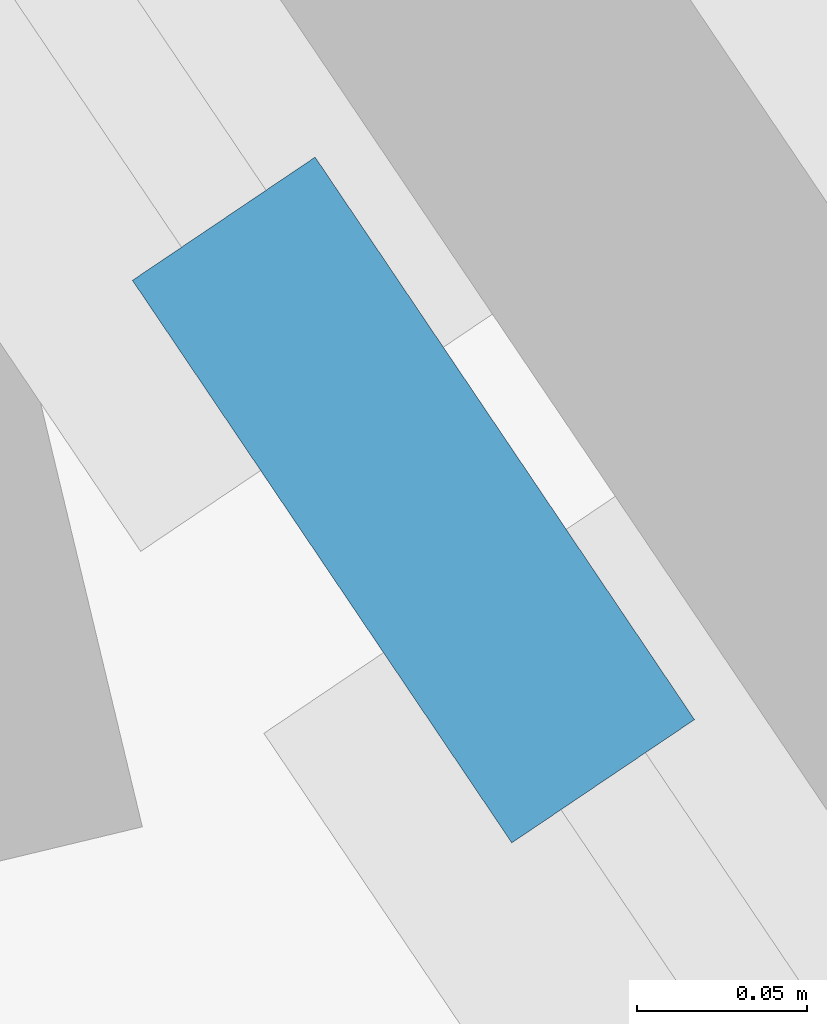
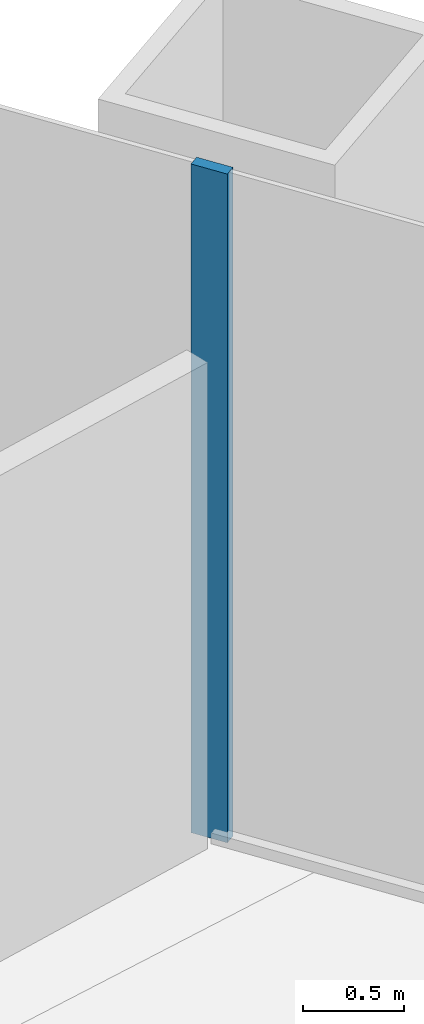
# One storey, part 5 of 20: 1 member, 1 element without a shape of its own.
"""IFC4 building model written with IfcOpenShell, lengths in metres."""

import ifcopenshell
import ifcopenshell.guid

model = None  # the IFC model being written
_history = None  # IfcOwnerHistory: only IFC2X3 demands one
_inside = {}  # id of a spatial element -> (the spatial element, [elements in it])
_under = {}  # id of a project, library or spatial element -> (it, [spatial elements below it])
_declared = {}  # id of a project -> (the project, [libraries it declares])
_typed = {}  # id of a type object -> (the type object, [elements of that type])
_made_of = {}  # id of a material, layer set ... -> (it, [elements and type objects made of it])


def new_model(schema):
    """Start an empty IFC model of exactly this schema.

    Asked for "IFC4X3", IfcOpenShell would pick the latest addendum, in which some entities
    have other attributes; the version numbers below select the first issue.
    IFC2X3 requires an IfcOwnerHistory on every rooted entity: one is made here for all.
    """
    global model, _history
    if schema == "IFC4X3":
        model = ifcopenshell.file(schema_version=(4, 3, 0, 0))
    else:
        model = ifcopenshell.file(schema=schema)
    _inside.clear()
    _under.clear()
    _declared.clear()
    _typed.clear()
    _made_of.clear()
    _history = None
    if model.schema == "IFC2X3":
        org = make("IfcOrganization", Name="unknown")
        user = make(
            "IfcPersonAndOrganization",
            ThePerson=make("IfcPerson", FamilyName="unknown"),
            TheOrganization=org,
        )
        app = make(
            "IfcApplication",
            ApplicationDeveloper=org,
            Version="unknown",
            ApplicationFullName="unknown",
            ApplicationIdentifier="unknown",
        )
        _history = make(
            "IfcOwnerHistory",
            OwningUser=user,
            OwningApplication=app,
            ChangeAction="ADDED",
            CreationDate=0,
        )
    return model


def make(cls, **values):
    """One entity of the class cls with the attributes given. An attribute that is None is left unset."""
    return model.create_entity(
        cls, **{name: value for name, value in values.items() if value is not None}
    )


def rooted(cls, **values):
    """An entity with a GlobalId (a new one), such as an element, a storey or a relation."""
    return make(cls, GlobalId=ifcopenshell.guid.new(), OwnerHistory=_history, **values)


def si_unit(unit_type, name, prefix=None):
    """IfcSIUnit, for example si_unit("LENGTHUNIT", "METRE", prefix="MILLI")."""
    return make("IfcSIUnit", UnitType=unit_type, Prefix=prefix, Name=name)


def assignment(units):
    """IfcUnitAssignment: the units of a project."""
    return None if units is None else make("IfcUnitAssignment", Units=units)


def point(xyz):
    """IfcCartesianPoint."""
    return None if xyz is None else make("IfcCartesianPoint", Coordinates=xyz)


def direction(xyz):
    """IfcDirection."""
    return None if xyz is None else make("IfcDirection", DirectionRatios=xyz)


def frame(location, z_axis=None, x_axis=None):
    """IfcAxis2Placement3D, a coordinate frame: its origin and axes. An axis left out is left unset."""
    return make(
        "IfcAxis2Placement3D",
        Location=point(location),
        Axis=direction(z_axis),
        RefDirection=direction(x_axis),
    )


def frame_2d(location, x_axis=None):
    """IfcAxis2Placement2D, a coordinate frame in the plane: its origin and x axis."""
    return make(
        "IfcAxis2Placement2D", Location=point(location), RefDirection=direction(x_axis)
    )


def origin():
    """The frame at (0, 0, 0) with its axes left unset."""
    return frame((0.0, 0.0, 0.0))


def origin_2d():
    """The frame at (0, 0) in the plane with its x axis left unset."""
    return frame_2d((0.0, 0.0))


def place(relative_to, where):
    """IfcLocalPlacement: puts the frame where relative to a parent placement (None: the world)."""
    return make(
        "IfcLocalPlacement", PlacementRelTo=relative_to, RelativePlacement=where
    )


def context(
    kind, dimensions, precision=None, world=None, true_north=None, identifier=None
):
    """IfcGeometricRepresentationContext, for example the 3D "Model" context."""
    return make(
        "IfcGeometricRepresentationContext",
        ContextIdentifier=identifier,
        ContextType=kind,
        CoordinateSpaceDimension=dimensions,
        Precision=precision,
        WorldCoordinateSystem=world,
        TrueNorth=true_north,
    )


def subcontext(parent, identifier, kind, view, scale=None):
    """IfcGeometricRepresentationSubContext, for example "Body" below "Model"."""
    return make(
        "IfcGeometricRepresentationSubContext",
        ContextIdentifier=identifier,
        ContextType=kind,
        ParentContext=parent,
        TargetScale=scale,
        TargetView=view,
    )


def project(units=None, contexts=None):
    """IfcProject with its units and contexts."""
    return rooted(
        "IfcProject",
        Name="project",
        RepresentationContexts=contexts,
        UnitsInContext=assignment(units),
    )


def spatial(cls, under=None, at=None, **own):
    """A site, building, storey or space (cls), placed at a placement, below another one or the project."""
    s = rooted(cls, ObjectPlacement=at, **own)
    if under is not None:
        _under.setdefault(under.id(), (under, []))[1].append(s)
    return s


def profile(cls, at=None, kind="AREA", **sizes):
    """A parametric profile (cls). Its sizes go by their IFC names, for example OverallWidth=200.0."""
    return make(cls, ProfileType=kind, Position=at, **sizes)


def rectangle(**sizes):
    """IfcRectangleProfileDef."""
    return profile("IfcRectangleProfileDef", **sizes)


def extrude(swept, where, along, depth):
    """IfcExtrudedAreaSolid: the profile swept, set in the frame where, extruded along a direction by depth."""
    return make(
        "IfcExtrudedAreaSolid",
        SweptArea=swept,
        Position=where,
        ExtrudedDirection=direction(along),
        Depth=depth,
    )


def shape(context_of_items, identifier, shape_type, items):
    """IfcShapeRepresentation: the items that make up one representation, for example the "Body"."""
    return make(
        "IfcShapeRepresentation",
        ContextOfItems=context_of_items,
        RepresentationIdentifier=identifier,
        RepresentationType=shape_type,
        Items=items,
    )


def material(Name=None, Category=None):
    """IfcMaterial."""
    return make("IfcMaterial", Name=Name, Category=Category)


def material_profile(
    of_material, cross_section, Name=None, Category=None, Priority=None
):
    """IfcMaterialProfile: a cross section and its material."""
    return make(
        "IfcMaterialProfile",
        Name=Name,
        Material=of_material,
        Profile=cross_section,
        Priority=Priority,
        Category=Category,
    )


def profile_set(profiles, Name=None, composite=None):
    """IfcMaterialProfileSet."""
    return make(
        "IfcMaterialProfileSet",
        Name=Name,
        MaterialProfiles=profiles,
        CompositeProfile=composite,
    )


def made_of(thing, what):
    """Note that an element or type object is made of a material, layer set ...; save() writes the relation."""
    if what is not None:
        _made_of.setdefault(what.id(), (what, []))[1].append(thing)
    return thing


def type_object(cls, material=None, **own):
    """A type object (cls), such as IfcWallType, which elements share."""
    return made_of(rooted(cls, **own), material)


def element(
    cls,
    number,
    at=None,
    inside=None,
    cuts=None,
    type_object=None,
    material=None,
    context=None,
    identifier="Body",
    shape_type=None,
    held_by="IfcProductDefinitionShape",
    body=None,
    shapes=None,
    **own,
):
    """One element of the class cls, such as IfcWall. Its Tag is "e" and its number.

    at: its placement. inside: the storey or other place that contains it. cuts: it is an
    opening in that element (IfcRelVoidsElement). A single representation is given by context,
    identifier, shape_type and body (its items); several are given by shapes. held_by: the class
    of the entity that holds the representations. save() writes the other relations.
    """
    e = rooted(cls, Tag="e%d" % number, ObjectPlacement=at, **own)
    if body is not None:
        shapes = [shape(context, identifier, shape_type, body)]
    if shapes is not None:
        e.Representation = make(held_by, Representations=shapes)
    if inside is not None:
        _inside.setdefault(inside.id(), (inside, []))[1].append(e)
    if cuts is not None:
        rooted(
            "IfcRelVoidsElement", RelatingBuildingElement=cuts, RelatedOpeningElement=e
        )
    if type_object is not None:
        _typed.setdefault(type_object.id(), (type_object, []))[1].append(e)
    return made_of(e, material)


def aggregate(whole, parts):
    """IfcRelAggregates: a whole, such as a stair, and the parts it consists of."""
    return rooted("IfcRelAggregates", RelatingObject=whole, RelatedObjects=parts)


def save(model, path):
    """Write the relations noted so far, then the file.

    IfcRelAggregates (storeys below a building ...), IfcRelContainedInSpatialStructure (elements
    in a storey), IfcRelDefinesByType, IfcRelAssociatesMaterial and IfcRelDeclares: one each for
    every whole, place, type object, material and project.
    """
    for whole, parts in _under.values():
        aggregate(whole, parts)
    for where, things in _inside.values():
        rooted(
            "IfcRelContainedInSpatialStructure",
            RelatedElements=things,
            RelatingStructure=where,
        )
    for kind, things in _typed.values():
        rooted("IfcRelDefinesByType", RelatedObjects=things, RelatingType=kind)
    for what, things in _made_of.values():
        rooted("IfcRelAssociatesMaterial", RelatedObjects=things, RelatingMaterial=what)
    for by, libraries in _declared.values():
        rooted("IfcRelDeclares", RelatingContext=by, RelatedDefinitions=libraries)
    model.write(path)


model = new_model("IFC4")

# Units and contexts
model_context = context("Model", 3, precision=1e-05, world=origin(), true_north=direction((0.0, 1.0)))
body_context = subcontext(model_context, "Body", "Model", "MODEL_VIEW")
ifc_project = project(units=[si_unit("LENGTHUNIT", "METRE"), si_unit("AREAUNIT", "SQUARE_METRE"), si_unit("VOLUMEUNIT", "CUBIC_METRE"), si_unit("PLANEANGLEUNIT", "RADIAN"), si_unit("MASSUNIT", "GRAM", prefix="KILO")], contexts=[model_context])

# Site, building, storey
site_placement = place(None, origin())
site = spatial("IfcSite", under=ifc_project, at=site_placement, CompositionType="ELEMENT")
building_placement = place(site_placement, origin())
building = spatial("IfcBuilding", under=site, at=building_placement, Name="Qingtian Harvest Tower", CompositionType="ELEMENT")
storey_placement = place(building_placement, frame((0.0, 0.0, 180.39990234375)))
storey = spatial("IfcBuildingStorey", under=building, at=storey_placement, Name="L38", CompositionType="ELEMENT", Elevation=180.39990234375)

# Curtain wall, member
ifc_material_1 = material(Name="Bronze-anodised aluminium curtain wall", Category="aluminium")
curtain_wall_type = type_object("IfcCurtainWallType", Name="Curtain wall CW3 sky lobby", PredefinedType="USERDEFINED", material=ifc_material_1)
curtain_wall_placement = place(storey_placement, origin())
curtain_wall = element("IfcCurtainWall", 1, at=curtain_wall_placement, inside=storey, type_object=curtain_wall_type, Name="Curtain wall CW3 L38 NE0-5", ObjectType="RECESSED CURTAIN WALL", PredefinedType="USERDEFINED")
ifc_material_2 = material(Name="Bronze-anodised aluminium mullion", Category="aluminium")
ifc_material_profile = material_profile(ifc_material_2, rectangle(XDim=0.06494140625, YDim=0.199951171875, at=origin_2d()), Name="AL 65x200")
ifc_profile_set = profile_set([ifc_material_profile], Name="Bronze-anodised aluminium mullion")
member_type = type_object("IfcMemberType", Name="Mullion CWM 65x200", PredefinedType="MULLION", material=ifc_profile_set)
member_placement = place(storey_placement, frame((23.150390625, 5.55712890625, 0.0), z_axis=(0.0, 0.0, 1.0), x_axis=(0.829037572555, 0.559192903471, 0.0)))
member = element("IfcMember", 2, at=member_placement, type_object=member_type, Name="CW3 mullion 6", PredefinedType="MULLION", context=body_context, shape_type="SweptSolid", body=[
    extrude(rectangle(XDim=0.06494140625, YDim=0.199951171875, at=origin_2d()), origin(), (0.0, 0.0, 1.0), 4.030029296875),
])
aggregate(curtain_wall, [member])

save(model, "model.ifc")
